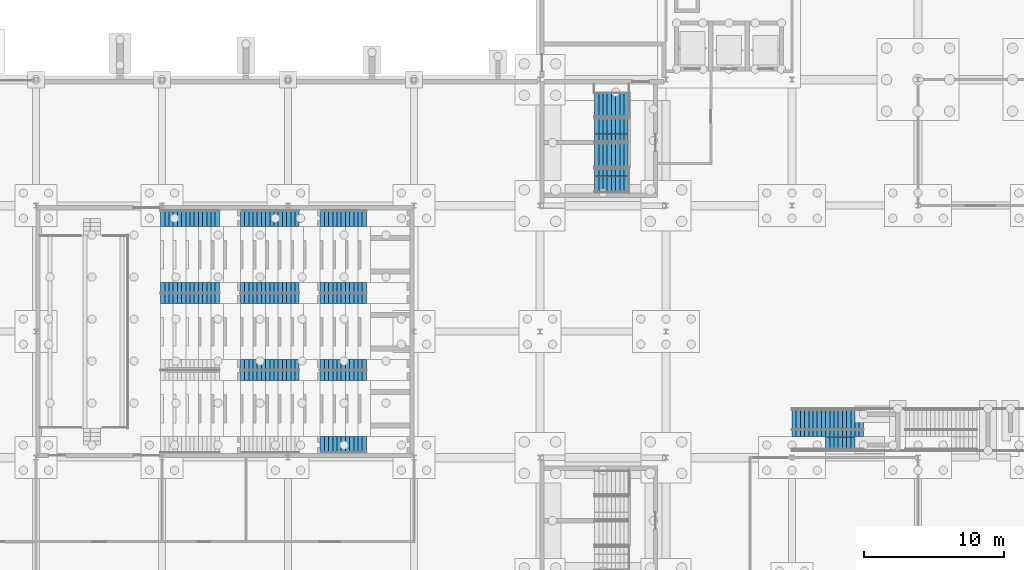
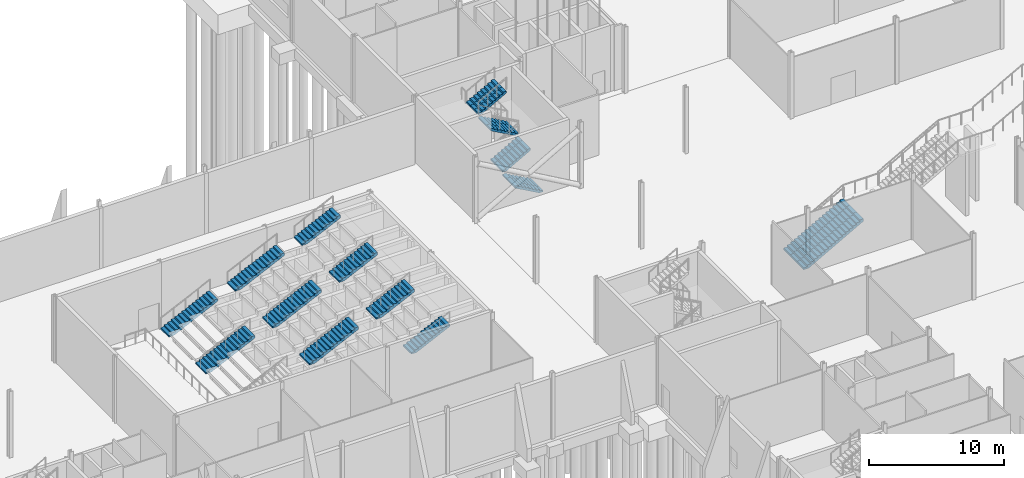
# One storey, part 117 of 139: 14 stair flights, 6 elements without a shape of their own.
"""IFC4 building model written with IfcOpenShell, lengths in metres."""

from ifc_helpers import new_model, si_unit, direction, frame, origin, place, context, subcontext, project, spatial, polyline, outline, extrude, material, type_object, element, aggregate, save


model = new_model("IFC4")

# Units and contexts
model_context = context("Model", 3, precision=1e-05, world=origin(), true_north=direction((0.0, 1.0)))
body_context = subcontext(model_context, "Body", "Model", "MODEL_VIEW")
ifc_project = project(units=[si_unit("LENGTHUNIT", "METRE"), si_unit("AREAUNIT", "SQUARE_METRE"), si_unit("VOLUMEUNIT", "CUBIC_METRE"), si_unit("PLANEANGLEUNIT", "RADIAN"), si_unit("MASSUNIT", "GRAM", prefix="KILO")], contexts=[model_context])

# Site, building, storey
site_placement = place(None, origin())
site = spatial("IfcSite", under=ifc_project, at=site_placement, CompositionType="ELEMENT")
building_placement = place(site_placement, origin())
building = spatial("IfcBuilding", under=site, at=building_placement, Name="Shorebreak Coast Museum", CompositionType="ELEMENT")
storey_placement = place(building_placement, origin())
storey = spatial("IfcBuildingStorey", under=building, at=storey_placement, Name="L00", CompositionType="ELEMENT", Elevation=0.0)

# Stair, stair flight
ifc_material_1 = material(Name="Concrete N40 (40 MPa)", Category="concrete")
stair_type_1 = type_object("IfcStairType", Name="Aisle stair 1200", PredefinedType="STRAIGHT_RUN_STAIR", material=ifc_material_1)
stair_1_placement = place(storey_placement, origin())
stair_1 = element("IfcStair", 1, at=stair_1_placement, inside=storey, type_object=stair_type_1, Name="Aisle stair 1", PredefinedType="STRAIGHT_RUN_STAIR")
ifc_material_2 = material(Name="Concrete N40 (40 MPa)", Category="concrete")
stair_flight_type_1 = type_object("IfcStairFlightType", Name="Aisle flight 1200 12 risers", PredefinedType="STRAIGHT", material=ifc_material_2)
stair_flight_1_placement = place(storey_placement, frame((38.300048828125, 63.89990234375, 4.28564453125), z_axis=(0.0, 0.0, 1.0), x_axis=(1.0, 0.0, 0.0)))
stair_flight_1 = element("IfcStairFlight", 2, at=stair_flight_1_placement, type_object=stair_flight_type_1, Name="STA-1 flight 3", NumberOfRisers=12, NumberOfTreads=11, PredefinedType="STRAIGHT", RiserHeight=0.142857143, TreadLength=0.3, context=body_context, shape_type="SweptSolid", body=[
    extrude(outline(polyline([(0.0, 0.0), (0.0, 0.142822265625), (0.300048828125, 0.142822265625), (0.300048828125, 0.28564453125), (0.60009765625, 0.28564453125), (0.60009765625, 0.428466796875), (0.89990234375, 0.428466796875), (0.89990234375, 0.571533203125), (1.199951171875, 0.571533203125), (1.199951171875, 0.71435546875), (1.5, 0.71435546875), (1.5, 0.857177734375), (1.800048828125, 0.857177734375), (1.800048828125, 1.0), (2.10009765625, 1.0), (2.10009765625, 1.142822265625), (2.39990234375, 1.142822265625), (2.39990234375, 1.28564453125), (2.699951171875, 1.28564453125), (2.699951171875, 1.428466796875), (3.0, 1.428466796875), (3.0, 1.571533203125), (3.300048828125, 1.571533203125), (3.300048828125, 1.71435546875), (3.300048828125, 1.349853515625), (0.465087890625, 0.0), (0.0, 0.0)])), frame((0.0, 0.60009765625, 0.0), z_axis=(0.0, -1.0, 0.0), x_axis=(1.0, 0.0, 0.0)), (0.0, 0.0, 1.0), 1.199951171875),
])
aggregate(stair_1, [stair_flight_1])

# Stair, stair flights
stair_2_placement = place(storey_placement, origin())
stair_2 = element("IfcStair", 3, at=stair_2_placement, inside=storey, type_object=stair_type_1, Name="Aisle stair 4", PredefinedType="STRAIGHT_RUN_STAIR")
stair_flight_2_placement = place(storey_placement, frame((38.300048828125, 80.10009765625, 4.28564453125), z_axis=(0.0, 0.0, 1.0), x_axis=(1.0, 0.0, 0.0)))
stair_flight_2 = element("IfcStairFlight", 4, at=stair_flight_2_placement, type_object=stair_flight_type_1, Name="STA-4 flight 3", NumberOfRisers=12, NumberOfTreads=11, PredefinedType="STRAIGHT", RiserHeight=0.142857143, TreadLength=0.3, context=body_context, shape_type="SweptSolid", body=[
    extrude(outline(polyline([(0.0, 0.0), (0.0, 0.142822265625), (0.300048828125, 0.142822265625), (0.300048828125, 0.28564453125), (0.60009765625, 0.28564453125), (0.60009765625, 0.428466796875), (0.89990234375, 0.428466796875), (0.89990234375, 0.571533203125), (1.199951171875, 0.571533203125), (1.199951171875, 0.71435546875), (1.5, 0.71435546875), (1.5, 0.857177734375), (1.800048828125, 0.857177734375), (1.800048828125, 1.0), (2.10009765625, 1.0), (2.10009765625, 1.142822265625), (2.39990234375, 1.142822265625), (2.39990234375, 1.28564453125), (2.699951171875, 1.28564453125), (2.699951171875, 1.428466796875), (3.0, 1.428466796875), (3.0, 1.571533203125), (3.300048828125, 1.571533203125), (3.300048828125, 1.71435546875), (3.300048828125, 1.349853515625), (0.465087890625, 0.0), (0.0, 0.0)])), frame((0.0, 0.60009765625, 0.0), z_axis=(0.0, -1.0, 0.0), x_axis=(1.0, 0.0, 0.0)), (0.0, 0.0, 1.0), 1.199951171875),
])
ifc_material_3 = material(Name="Concrete N40 (40 MPa)", Category="concrete")
stair_flight_type_2 = type_object("IfcStairFlightType", Name="Aisle flight 1200 15 risers", PredefinedType="STRAIGHT", material=ifc_material_3)
stair_flight_3_placement = place(storey_placement, frame((26.89990234375, 80.10009765625, 0.0), z_axis=(0.0, 0.0, 1.0), x_axis=(1.0, 0.0, 0.0)))
stair_flight_3 = element("IfcStairFlight", 5, at=stair_flight_3_placement, type_object=stair_flight_type_2, Name="STA-4 flight 1", NumberOfRisers=15, NumberOfTreads=14, PredefinedType="STRAIGHT", RiserHeight=0.142857143, TreadLength=0.3, context=body_context, shape_type="SweptSolid", body=[
    extrude(outline(polyline([(0.0, 0.0), (0.0, 0.142822265625), (0.300048828125, 0.142822265625), (0.300048828125, 0.28564453125), (0.60009765625, 0.28564453125), (0.60009765625, 0.428466796875), (0.89990234375, 0.428466796875), (0.89990234375, 0.571533203125), (1.199951171875, 0.571533203125), (1.199951171875, 0.71435546875), (1.5, 0.71435546875), (1.5, 0.857177734375), (1.800048828125, 0.857177734375), (1.800048828125, 1.0), (2.10009765625, 1.0), (2.10009765625, 1.142822265625), (2.39990234375, 1.142822265625), (2.39990234375, 1.28564453125), (2.699951171875, 1.28564453125), (2.699951171875, 1.428466796875), (3.0, 1.428466796875), (3.0, 1.571533203125), (3.300048828125, 1.571533203125), (3.300048828125, 1.71435546875), (3.60009765625, 1.71435546875), (3.60009765625, 1.857177734375), (3.89990234375, 1.857177734375), (3.89990234375, 2.0), (4.199951171875, 2.0), (4.199951171875, 2.142822265625), (4.199951171875, 1.778564453125), (0.465087890625, 0.0), (0.0, 0.0)])), frame((0.0, 0.60009765625, 0.0), z_axis=(0.0, -1.0, 0.0), x_axis=(1.0, 0.0, 0.0)), (0.0, 0.0, 1.0), 1.199951171875),
])
stair_flight_4_placement = place(storey_placement, frame((32.60009765625, 80.10009765625, 2.142822265625), z_axis=(0.0, 0.0, 1.0), x_axis=(1.0, 0.0, 0.0)))
stair_flight_4 = element("IfcStairFlight", 6, at=stair_flight_4_placement, type_object=stair_flight_type_2, Name="STA-4 flight 2", NumberOfRisers=15, NumberOfTreads=14, PredefinedType="STRAIGHT", RiserHeight=0.142857143, TreadLength=0.3, context=body_context, shape_type="SweptSolid", body=[
    extrude(outline(polyline([(0.0, 0.0), (0.0, 0.142822265625), (0.300048828125, 0.142822265625), (0.300048828125, 0.28564453125), (0.60009765625, 0.28564453125), (0.60009765625, 0.428466796875), (0.89990234375, 0.428466796875), (0.89990234375, 0.571533203125), (1.199951171875, 0.571533203125), (1.199951171875, 0.71435546875), (1.5, 0.71435546875), (1.5, 0.857177734375), (1.800048828125, 0.857177734375), (1.800048828125, 1.0), (2.10009765625, 1.0), (2.10009765625, 1.142822265625), (2.39990234375, 1.142822265625), (2.39990234375, 1.28564453125), (2.699951171875, 1.28564453125), (2.699951171875, 1.428466796875), (3.0, 1.428466796875), (3.0, 1.571533203125), (3.300048828125, 1.571533203125), (3.300048828125, 1.71435546875), (3.60009765625, 1.71435546875), (3.60009765625, 1.857177734375), (3.89990234375, 1.857177734375), (3.89990234375, 2.0), (4.199951171875, 2.0), (4.199951171875, 2.142822265625), (4.199951171875, 1.778564453125), (0.465087890625, 0.0), (0.0, 0.0)])), frame((0.0, 0.60009765625, 0.0), z_axis=(0.0, -1.0, 0.0), x_axis=(1.0, 0.0, 0.0)), (0.0, 0.0, 1.0), 1.199951171875),
])
aggregate(stair_2, [stair_flight_3, stair_flight_4, stair_flight_2])

# Stair, stair flight
ifc_material_4 = material(Name="Concrete N40 (40 MPa)", Category="concrete")
stair_type_2 = type_object("IfcStairType", Name="Aisle stair 1500", PredefinedType="STRAIGHT_RUN_STAIR", material=ifc_material_4)
stair_3_placement = place(storey_placement, origin())
stair_3 = element("IfcStair", 7, at=stair_3_placement, inside=storey, type_object=stair_type_2, Name="Aisle stair 2", PredefinedType="STRAIGHT_RUN_STAIR")
ifc_material_5 = material(Name="Concrete N40 (40 MPa)", Category="concrete")
stair_flight_type_3 = type_object("IfcStairFlightType", Name="Aisle flight 1500 12 risers", PredefinedType="STRAIGHT", material=ifc_material_5)
stair_flight_5_placement = place(storey_placement, frame((38.300048828125, 69.25, 4.28564453125), z_axis=(0.0, 0.0, 1.0), x_axis=(1.0, 0.0, 0.0)))
stair_flight_5 = element("IfcStairFlight", 8, at=stair_flight_5_placement, type_object=stair_flight_type_3, Name="STA-2 flight 3", NumberOfRisers=12, NumberOfTreads=11, PredefinedType="STRAIGHT", RiserHeight=0.142857143, TreadLength=0.3, context=body_context, shape_type="SweptSolid", body=[
    extrude(outline(polyline([(0.0, 0.0), (0.0, 0.142822265625), (0.300048828125, 0.142822265625), (0.300048828125, 0.28564453125), (0.60009765625, 0.28564453125), (0.60009765625, 0.428466796875), (0.89990234375, 0.428466796875), (0.89990234375, 0.571533203125), (1.199951171875, 0.571533203125), (1.199951171875, 0.71435546875), (1.5, 0.71435546875), (1.5, 0.857177734375), (1.800048828125, 0.857177734375), (1.800048828125, 1.0), (2.10009765625, 1.0), (2.10009765625, 1.142822265625), (2.39990234375, 1.142822265625), (2.39990234375, 1.28564453125), (2.699951171875, 1.28564453125), (2.699951171875, 1.428466796875), (3.0, 1.428466796875), (3.0, 1.571533203125), (3.300048828125, 1.571533203125), (3.300048828125, 1.71435546875), (3.300048828125, 1.349853515625), (0.465087890625, 0.0), (0.0, 0.0)])), frame((0.0, 0.75, 0.0), z_axis=(0.0, -1.0, 0.0), x_axis=(1.0, 0.0, 0.0)), (0.0, 0.0, 1.0), 1.5),
])

stair_4_placement = place(storey_placement, origin())
stair_4 = element("IfcStair", 9, at=stair_4_placement, inside=storey, type_object=stair_type_2, Name="Aisle stair 3", PredefinedType="STRAIGHT_RUN_STAIR")
stair_flight_6_placement = place(storey_placement, frame((38.300048828125, 74.75, 4.28564453125), z_axis=(0.0, 0.0, 1.0), x_axis=(1.0, 0.0, 0.0)))
stair_flight_6 = element("IfcStairFlight", 10, at=stair_flight_6_placement, type_object=stair_flight_type_3, Name="STA-3 flight 3", NumberOfRisers=12, NumberOfTreads=11, PredefinedType="STRAIGHT", RiserHeight=0.142857143, TreadLength=0.3, context=body_context, shape_type="SweptSolid", body=[
    extrude(outline(polyline([(0.0, 0.0), (0.0, 0.142822265625), (0.300048828125, 0.142822265625), (0.300048828125, 0.28564453125), (0.60009765625, 0.28564453125), (0.60009765625, 0.428466796875), (0.89990234375, 0.428466796875), (0.89990234375, 0.571533203125), (1.199951171875, 0.571533203125), (1.199951171875, 0.71435546875), (1.5, 0.71435546875), (1.5, 0.857177734375), (1.800048828125, 0.857177734375), (1.800048828125, 1.0), (2.10009765625, 1.0), (2.10009765625, 1.142822265625), (2.39990234375, 1.142822265625), (2.39990234375, 1.28564453125), (2.699951171875, 1.28564453125), (2.699951171875, 1.428466796875), (3.0, 1.428466796875), (3.0, 1.571533203125), (3.300048828125, 1.571533203125), (3.300048828125, 1.71435546875), (3.300048828125, 1.349853515625), (0.465087890625, 0.0), (0.0, 0.0)])), frame((0.0, 0.75, 0.0), z_axis=(0.0, -1.0, 0.0), x_axis=(1.0, 0.0, 0.0)), (0.0, 0.0, 1.0), 1.5),
])

# Stair flight
ifc_material_6 = material(Name="Concrete N40 (40 MPa)", Category="concrete")
stair_flight_type_4 = type_object("IfcStairFlightType", Name="Aisle flight 1500 15 risers", PredefinedType="STRAIGHT", material=ifc_material_6)
stair_flight_7_placement = place(storey_placement, frame((32.60009765625, 69.25, 2.142822265625), z_axis=(0.0, 0.0, 1.0), x_axis=(1.0, 0.0, 0.0)))
stair_flight_7 = element("IfcStairFlight", 11, at=stair_flight_7_placement, type_object=stair_flight_type_4, Name="STA-2 flight 2", NumberOfRisers=15, NumberOfTreads=14, PredefinedType="STRAIGHT", RiserHeight=0.142857143, TreadLength=0.3, context=body_context, shape_type="SweptSolid", body=[
    extrude(outline(polyline([(0.0, 0.0), (0.0, 0.142822265625), (0.300048828125, 0.142822265625), (0.300048828125, 0.28564453125), (0.60009765625, 0.28564453125), (0.60009765625, 0.428466796875), (0.89990234375, 0.428466796875), (0.89990234375, 0.571533203125), (1.199951171875, 0.571533203125), (1.199951171875, 0.71435546875), (1.5, 0.71435546875), (1.5, 0.857177734375), (1.800048828125, 0.857177734375), (1.800048828125, 1.0), (2.10009765625, 1.0), (2.10009765625, 1.142822265625), (2.39990234375, 1.142822265625), (2.39990234375, 1.28564453125), (2.699951171875, 1.28564453125), (2.699951171875, 1.428466796875), (3.0, 1.428466796875), (3.0, 1.571533203125), (3.300048828125, 1.571533203125), (3.300048828125, 1.71435546875), (3.60009765625, 1.71435546875), (3.60009765625, 1.857177734375), (3.89990234375, 1.857177734375), (3.89990234375, 2.0), (4.199951171875, 2.0), (4.199951171875, 2.142822265625), (4.199951171875, 1.778564453125), (0.465087890625, 0.0), (0.0, 0.0)])), frame((0.0, 0.75, 0.0), z_axis=(0.0, -1.0, 0.0), x_axis=(1.0, 0.0, 0.0)), (0.0, 0.0, 1.0), 1.5),
])

aggregate(stair_3, [stair_flight_7, stair_flight_5])

stair_flight_8_placement = place(storey_placement, frame((26.89990234375, 74.75, 0.0), z_axis=(0.0, 0.0, 1.0), x_axis=(1.0, 0.0, 0.0)))
stair_flight_8 = element("IfcStairFlight", 12, at=stair_flight_8_placement, type_object=stair_flight_type_4, Name="STA-3 flight 1", NumberOfRisers=15, NumberOfTreads=14, PredefinedType="STRAIGHT", RiserHeight=0.142857143, TreadLength=0.3, context=body_context, shape_type="SweptSolid", body=[
    extrude(outline(polyline([(0.0, 0.0), (0.0, 0.142822265625), (0.300048828125, 0.142822265625), (0.300048828125, 0.28564453125), (0.60009765625, 0.28564453125), (0.60009765625, 0.428466796875), (0.89990234375, 0.428466796875), (0.89990234375, 0.571533203125), (1.199951171875, 0.571533203125), (1.199951171875, 0.71435546875), (1.5, 0.71435546875), (1.5, 0.857177734375), (1.800048828125, 0.857177734375), (1.800048828125, 1.0), (2.10009765625, 1.0), (2.10009765625, 1.142822265625), (2.39990234375, 1.142822265625), (2.39990234375, 1.28564453125), (2.699951171875, 1.28564453125), (2.699951171875, 1.428466796875), (3.0, 1.428466796875), (3.0, 1.571533203125), (3.300048828125, 1.571533203125), (3.300048828125, 1.71435546875), (3.60009765625, 1.71435546875), (3.60009765625, 1.857177734375), (3.89990234375, 1.857177734375), (3.89990234375, 2.0), (4.199951171875, 2.0), (4.199951171875, 2.142822265625), (4.199951171875, 1.778564453125), (0.465087890625, 0.0), (0.0, 0.0)])), frame((0.0, 0.75, 0.0), z_axis=(0.0, -1.0, 0.0), x_axis=(1.0, 0.0, 0.0)), (0.0, 0.0, 1.0), 1.5),
])

stair_flight_9_placement = place(storey_placement, frame((32.60009765625, 74.75, 2.142822265625), z_axis=(0.0, 0.0, 1.0), x_axis=(1.0, 0.0, 0.0)))
stair_flight_9 = element("IfcStairFlight", 13, at=stair_flight_9_placement, type_object=stair_flight_type_4, Name="STA-3 flight 2", NumberOfRisers=15, NumberOfTreads=14, PredefinedType="STRAIGHT", RiserHeight=0.142857143, TreadLength=0.3, context=body_context, shape_type="SweptSolid", body=[
    extrude(outline(polyline([(0.0, 0.0), (0.0, 0.142822265625), (0.300048828125, 0.142822265625), (0.300048828125, 0.28564453125), (0.60009765625, 0.28564453125), (0.60009765625, 0.428466796875), (0.89990234375, 0.428466796875), (0.89990234375, 0.571533203125), (1.199951171875, 0.571533203125), (1.199951171875, 0.71435546875), (1.5, 0.71435546875), (1.5, 0.857177734375), (1.800048828125, 0.857177734375), (1.800048828125, 1.0), (2.10009765625, 1.0), (2.10009765625, 1.142822265625), (2.39990234375, 1.142822265625), (2.39990234375, 1.28564453125), (2.699951171875, 1.28564453125), (2.699951171875, 1.428466796875), (3.0, 1.428466796875), (3.0, 1.571533203125), (3.300048828125, 1.571533203125), (3.300048828125, 1.71435546875), (3.60009765625, 1.71435546875), (3.60009765625, 1.857177734375), (3.89990234375, 1.857177734375), (3.89990234375, 2.0), (4.199951171875, 2.0), (4.199951171875, 2.142822265625), (4.199951171875, 1.778564453125), (0.465087890625, 0.0), (0.0, 0.0)])), frame((0.0, 0.75, 0.0), z_axis=(0.0, -1.0, 0.0), x_axis=(1.0, 0.0, 0.0)), (0.0, 0.0, 1.0), 1.5),
])

aggregate(stair_4, [stair_flight_8, stair_flight_9, stair_flight_6])

# Stair, stair flight
ifc_material_7 = material(Name="Concrete N40 (40 MPa)", Category="concrete")
stair_type_3 = type_object("IfcStairType", Name="Feature stair run 6 m", PredefinedType="TWO_STRAIGHT_RUN_STAIR", material=ifc_material_7)
stair_5_placement = place(storey_placement, origin())
stair_5 = element("IfcStair", 14, at=stair_5_placement, inside=storey, type_object=stair_type_3, Name="Feature stair FS-L00", PredefinedType="TWO_STRAIGHT_RUN_STAIR")
ifc_material_8 = material(Name="Concrete N40 (40 MPa)", Category="concrete")
stair_flight_type_5 = type_object("IfcStairFlightType", Name="Feature stair flight 18 risers", PredefinedType="STRAIGHT", material=ifc_material_8)
stair_flight_10_placement = place(storey_placement, frame((72.0, 65.0, 0.0), z_axis=(0.0, 0.0, 1.0), x_axis=(1.0, 0.0, 0.0)))
stair_flight_10 = element("IfcStairFlight", 15, at=stair_flight_10_placement, type_object=stair_flight_type_5, Name="FS-L00 flight 1", NumberOfRisers=18, NumberOfTreads=17, PredefinedType="STRAIGHT", RiserHeight=0.166666667, TreadLength=0.3, context=body_context, shape_type="SweptSolid", body=[
    extrude(outline(polyline([(0.0, 0.0), (0.0, 0.166748046875), (0.300048828125, 0.166748046875), (0.300048828125, 0.333251953125), (0.60009765625, 0.333251953125), (0.60009765625, 0.5), (0.89990234375, 0.5), (0.89990234375, 0.666748046875), (1.199951171875, 0.666748046875), (1.199951171875, 0.833251953125), (1.5, 0.833251953125), (1.5, 1.0), (1.800048828125, 1.0), (1.800048828125, 1.166748046875), (2.10009765625, 1.166748046875), (2.10009765625, 1.333251953125), (2.39990234375, 1.333251953125), (2.39990234375, 1.5), (2.699951171875, 1.5), (2.699951171875, 1.666748046875), (3.0, 1.666748046875), (3.0, 1.833251953125), (3.300048828125, 1.833251953125), (3.300048828125, 2.0), (3.60009765625, 2.0), (3.60009765625, 2.166748046875), (3.89990234375, 2.166748046875), (3.89990234375, 2.333251953125), (4.199951171875, 2.333251953125), (4.199951171875, 2.5), (4.5, 2.5), (4.5, 2.666748046875), (4.800048828125, 2.666748046875), (4.800048828125, 2.833251953125), (5.10009765625, 2.833251953125), (5.10009765625, 3.0), (5.10009765625, 2.6044921875), (0.41162109375, 0.0), (0.0, 0.0)])), frame((0.0, 1.5, 0.0), z_axis=(0.0, -1.0, 0.0), x_axis=(1.0, 0.0, 0.0)), (0.0, 0.0, 1.0), 0.993408203125),
    extrude(outline(polyline([(0.0, 0.0), (0.0, 0.166748046875), (0.300048828125, 0.166748046875), (0.300048828125, 0.333251953125), (0.60009765625, 0.333251953125), (0.60009765625, 0.5), (0.89990234375, 0.5), (0.89990234375, 0.666748046875), (1.199951171875, 0.666748046875), (1.199951171875, 0.833251953125), (1.5, 0.833251953125), (1.5, 1.0), (1.800048828125, 1.0), (1.800048828125, 1.166748046875), (2.10009765625, 1.166748046875), (2.10009765625, 1.333251953125), (2.39990234375, 1.333251953125), (2.39990234375, 1.5), (2.699951171875, 1.5), (2.699951171875, 1.666748046875), (3.0, 1.666748046875), (3.0, 1.833251953125), (3.300048828125, 1.833251953125), (3.300048828125, 2.0), (3.60009765625, 2.0), (3.60009765625, 2.166748046875), (3.89990234375, 2.166748046875), (3.89990234375, 2.333251953125), (4.199951171875, 2.333251953125), (4.199951171875, 2.5), (4.5, 2.5), (4.5, 2.666748046875), (4.800048828125, 2.666748046875), (4.800048828125, 2.833251953125), (5.10009765625, 2.833251953125), (5.10009765625, 3.0), (5.10009765625, 2.6044921875), (0.41162109375, 0.0), (0.0, 0.0)])), frame((0.0, 0.49658203125, 0.0), z_axis=(0.0, -1.0, 0.0), x_axis=(1.0, 0.0, 0.0)), (0.0, 0.0, 1.0), 0.993408203125),
    extrude(outline(polyline([(0.0, 0.0), (0.0, 0.166748046875), (0.300048828125, 0.166748046875), (0.300048828125, 0.333251953125), (0.60009765625, 0.333251953125), (0.60009765625, 0.5), (0.89990234375, 0.5), (0.89990234375, 0.666748046875), (1.199951171875, 0.666748046875), (1.199951171875, 0.833251953125), (1.5, 0.833251953125), (1.5, 1.0), (1.800048828125, 1.0), (1.800048828125, 1.166748046875), (2.10009765625, 1.166748046875), (2.10009765625, 1.333251953125), (2.39990234375, 1.333251953125), (2.39990234375, 1.5), (2.699951171875, 1.5), (2.699951171875, 1.666748046875), (3.0, 1.666748046875), (3.0, 1.833251953125), (3.300048828125, 1.833251953125), (3.300048828125, 2.0), (3.60009765625, 2.0), (3.60009765625, 2.166748046875), (3.89990234375, 2.166748046875), (3.89990234375, 2.333251953125), (4.199951171875, 2.333251953125), (4.199951171875, 2.5), (4.5, 2.5), (4.5, 2.666748046875), (4.800048828125, 2.666748046875), (4.800048828125, 2.833251953125), (5.10009765625, 2.833251953125), (5.10009765625, 3.0), (5.10009765625, 2.6044921875), (0.41162109375, 0.0), (0.0, 0.0)])), frame((0.0, -0.506591796875, 0.0), z_axis=(0.0, -1.0, 0.0), x_axis=(1.0, 0.0, 0.0)), (0.0, 0.0, 1.0), 0.993408203125),
])
aggregate(stair_5, [stair_flight_10])

# Stair, stair flights
ifc_material_9 = material(Name="Concrete N40 (40 MPa)", Category="concrete")
stair_type_4 = type_object("IfcStairType", Name="Stair run 6 m", PredefinedType="DOUBLE_RETURN_STAIR", material=ifc_material_9)
stair_6_placement = place(storey_placement, origin())
stair_6 = element("IfcStair", 16, at=stair_6_placement, inside=storey, type_object=stair_type_4, Name="Exit stair ST03-L00", PredefinedType="DOUBLE_RETURN_STAIR")
ifc_material_10 = material(Name="Concrete N40 (40 MPa)", Category="concrete")
stair_flight_type_6 = type_object("IfcStairFlightType", Name="Stair flight 9 risers 166.67", PredefinedType="STRAIGHT", material=ifc_material_10)
stair_flight_11_placement = place(storey_placement, frame((60.300048828125, 82.800048828125, 0.0), z_axis=(0.0, 0.0, 1.0), x_axis=(-1.0, 0.0, 0.0)))
stair_flight_11 = element("IfcStairFlight", 17, at=stair_flight_11_placement, type_object=stair_flight_type_6, Name="ST03-L00 flight 1", NumberOfRisers=9, NumberOfTreads=8, PredefinedType="STRAIGHT", RiserHeight=0.166666667, TreadLength=0.3, context=body_context, shape_type="SweptSolid", body=[
    extrude(outline(polyline([(0.0, 0.0), (0.0, 0.166748046875), (0.300048828125, 0.166748046875), (0.300048828125, 0.333251953125), (0.60009765625, 0.333251953125), (0.60009765625, 0.5), (0.89990234375, 0.5), (0.89990234375, 0.666748046875), (1.199951171875, 0.666748046875), (1.199951171875, 0.833251953125), (1.5, 0.833251953125), (1.5, 1.0), (1.800048828125, 1.0), (1.800048828125, 1.166748046875), (2.10009765625, 1.166748046875), (2.10009765625, 1.333251953125), (2.39990234375, 1.333251953125), (2.39990234375, 1.5), (2.39990234375, 1.161865234375), (0.30859375, 0.0), (0.0, 0.0)])), frame((0.0, 0.89990234375, 0.0), z_axis=(0.0, -1.0, 0.0), x_axis=(1.0, 0.0, 0.0)), (0.0, 0.0, 1.0), 0.59326171875),
    extrude(outline(polyline([(0.0, 0.0), (0.0, 0.166748046875), (0.300048828125, 0.166748046875), (0.300048828125, 0.333251953125), (0.60009765625, 0.333251953125), (0.60009765625, 0.5), (0.89990234375, 0.5), (0.89990234375, 0.666748046875), (1.199951171875, 0.666748046875), (1.199951171875, 0.833251953125), (1.5, 0.833251953125), (1.5, 1.0), (1.800048828125, 1.0), (1.800048828125, 1.166748046875), (2.10009765625, 1.166748046875), (2.10009765625, 1.333251953125), (2.39990234375, 1.333251953125), (2.39990234375, 1.5), (2.39990234375, 1.161865234375), (0.30859375, 0.0), (0.0, 0.0)])), frame((0.0, 0.296630859375, 0.0), z_axis=(0.0, -1.0, 0.0), x_axis=(1.0, 0.0, 0.0)), (0.0, 0.0, 1.0), 0.59326171875),
    extrude(outline(polyline([(0.0, 0.0), (0.0, 0.166748046875), (0.300048828125, 0.166748046875), (0.300048828125, 0.333251953125), (0.60009765625, 0.333251953125), (0.60009765625, 0.5), (0.89990234375, 0.5), (0.89990234375, 0.666748046875), (1.199951171875, 0.666748046875), (1.199951171875, 0.833251953125), (1.5, 0.833251953125), (1.5, 1.0), (1.800048828125, 1.0), (1.800048828125, 1.166748046875), (2.10009765625, 1.166748046875), (2.10009765625, 1.333251953125), (2.39990234375, 1.333251953125), (2.39990234375, 1.5), (2.39990234375, 1.161865234375), (0.30859375, 0.0), (0.0, 0.0)])), frame((0.0, -0.306640625, 0.0), z_axis=(0.0, -1.0, 0.0), x_axis=(1.0, 0.0, 0.0)), (0.0, 0.0, 1.0), 0.59326171875),
])
stair_flight_12_placement = place(storey_placement, frame((57.89990234375, 84.60009765625, 1.5), z_axis=(0.0, 0.0, 1.0), x_axis=(1.0, 0.0, 0.0)))
stair_flight_12 = element("IfcStairFlight", 18, at=stair_flight_12_placement, type_object=stair_flight_type_6, Name="ST03-L00 flight 2", NumberOfRisers=9, NumberOfTreads=8, PredefinedType="STRAIGHT", RiserHeight=0.166666667, TreadLength=0.3, context=body_context, shape_type="SweptSolid", body=[
    extrude(outline(polyline([(0.0, 0.0), (0.0, 0.166748046875), (0.300048828125, 0.166748046875), (0.300048828125, 0.333251953125), (0.60009765625, 0.333251953125), (0.60009765625, 0.5), (0.89990234375, 0.5), (0.89990234375, 0.666748046875), (1.199951171875, 0.666748046875), (1.199951171875, 0.833251953125), (1.5, 0.833251953125), (1.5, 1.0), (1.800048828125, 1.0), (1.800048828125, 1.166748046875), (2.10009765625, 1.166748046875), (2.10009765625, 1.333251953125), (2.39990234375, 1.333251953125), (2.39990234375, 1.5), (2.39990234375, 1.161865234375), (0.30859375, 0.0), (0.0, 0.0)])), frame((0.0, 0.89990234375, 0.0), z_axis=(0.0, -1.0, 0.0), x_axis=(1.0, 0.0, 0.0)), (0.0, 0.0, 1.0), 0.59326171875),
    extrude(outline(polyline([(0.0, 0.0), (0.0, 0.166748046875), (0.300048828125, 0.166748046875), (0.300048828125, 0.333251953125), (0.60009765625, 0.333251953125), (0.60009765625, 0.5), (0.89990234375, 0.5), (0.89990234375, 0.666748046875), (1.199951171875, 0.666748046875), (1.199951171875, 0.833251953125), (1.5, 0.833251953125), (1.5, 1.0), (1.800048828125, 1.0), (1.800048828125, 1.166748046875), (2.10009765625, 1.166748046875), (2.10009765625, 1.333251953125), (2.39990234375, 1.333251953125), (2.39990234375, 1.5), (2.39990234375, 1.161865234375), (0.30859375, 0.0), (0.0, 0.0)])), frame((0.0, 0.296630859375, 0.0), z_axis=(0.0, -1.0, 0.0), x_axis=(1.0, 0.0, 0.0)), (0.0, 0.0, 1.0), 0.59326171875),
    extrude(outline(polyline([(0.0, 0.0), (0.0, 0.166748046875), (0.300048828125, 0.166748046875), (0.300048828125, 0.333251953125), (0.60009765625, 0.333251953125), (0.60009765625, 0.5), (0.89990234375, 0.5), (0.89990234375, 0.666748046875), (1.199951171875, 0.666748046875), (1.199951171875, 0.833251953125), (1.5, 0.833251953125), (1.5, 1.0), (1.800048828125, 1.0), (1.800048828125, 1.166748046875), (2.10009765625, 1.166748046875), (2.10009765625, 1.333251953125), (2.39990234375, 1.333251953125), (2.39990234375, 1.5), (2.39990234375, 1.161865234375), (0.30859375, 0.0), (0.0, 0.0)])), frame((0.0, -0.306640625, 0.0), z_axis=(0.0, -1.0, 0.0), x_axis=(1.0, 0.0, 0.0)), (0.0, 0.0, 1.0), 0.59326171875),
])
stair_flight_13_placement = place(storey_placement, frame((60.300048828125, 86.39990234375, 3.0), z_axis=(0.0, 0.0, 1.0), x_axis=(-1.0, 0.0, 0.0)))
stair_flight_13 = element("IfcStairFlight", 19, at=stair_flight_13_placement, type_object=stair_flight_type_6, Name="ST03-L00 flight 3", NumberOfRisers=9, NumberOfTreads=8, PredefinedType="STRAIGHT", RiserHeight=0.166666667, TreadLength=0.3, context=body_context, shape_type="SweptSolid", body=[
    extrude(outline(polyline([(0.0, 0.0), (0.0, 0.166748046875), (0.300048828125, 0.166748046875), (0.300048828125, 0.333251953125), (0.60009765625, 0.333251953125), (0.60009765625, 0.5), (0.89990234375, 0.5), (0.89990234375, 0.666748046875), (1.199951171875, 0.666748046875), (1.199951171875, 0.833251953125), (1.5, 0.833251953125), (1.5, 1.0), (1.800048828125, 1.0), (1.800048828125, 1.166748046875), (2.10009765625, 1.166748046875), (2.10009765625, 1.333251953125), (2.39990234375, 1.333251953125), (2.39990234375, 1.5), (2.39990234375, 1.161865234375), (0.30859375, 0.0), (0.0, 0.0)])), frame((0.0, 0.89990234375, 0.0), z_axis=(0.0, -1.0, 0.0), x_axis=(1.0, 0.0, 0.0)), (0.0, 0.0, 1.0), 0.59326171875),
    extrude(outline(polyline([(0.0, 0.0), (0.0, 0.166748046875), (0.300048828125, 0.166748046875), (0.300048828125, 0.333251953125), (0.60009765625, 0.333251953125), (0.60009765625, 0.5), (0.89990234375, 0.5), (0.89990234375, 0.666748046875), (1.199951171875, 0.666748046875), (1.199951171875, 0.833251953125), (1.5, 0.833251953125), (1.5, 1.0), (1.800048828125, 1.0), (1.800048828125, 1.166748046875), (2.10009765625, 1.166748046875), (2.10009765625, 1.333251953125), (2.39990234375, 1.333251953125), (2.39990234375, 1.5), (2.39990234375, 1.161865234375), (0.30859375, 0.0), (0.0, 0.0)])), frame((0.0, 0.296630859375, 0.0), z_axis=(0.0, -1.0, 0.0), x_axis=(1.0, 0.0, 0.0)), (0.0, 0.0, 1.0), 0.59326171875),
    extrude(outline(polyline([(0.0, 0.0), (0.0, 0.166748046875), (0.300048828125, 0.166748046875), (0.300048828125, 0.333251953125), (0.60009765625, 0.333251953125), (0.60009765625, 0.5), (0.89990234375, 0.5), (0.89990234375, 0.666748046875), (1.199951171875, 0.666748046875), (1.199951171875, 0.833251953125), (1.5, 0.833251953125), (1.5, 1.0), (1.800048828125, 1.0), (1.800048828125, 1.166748046875), (2.10009765625, 1.166748046875), (2.10009765625, 1.333251953125), (2.39990234375, 1.333251953125), (2.39990234375, 1.5), (2.39990234375, 1.161865234375), (0.30859375, 0.0), (0.0, 0.0)])), frame((0.0, -0.306640625, 0.0), z_axis=(0.0, -1.0, 0.0), x_axis=(1.0, 0.0, 0.0)), (0.0, 0.0, 1.0), 0.59326171875),
])
stair_flight_14_placement = place(storey_placement, frame((57.89990234375, 88.199951171875, 4.5), z_axis=(0.0, 0.0, 1.0), x_axis=(1.0, 0.0, 0.0)))
stair_flight_14 = element("IfcStairFlight", 20, at=stair_flight_14_placement, type_object=stair_flight_type_6, Name="ST03-L00 flight 4", NumberOfRisers=9, NumberOfTreads=8, PredefinedType="STRAIGHT", RiserHeight=0.166666667, TreadLength=0.3, context=body_context, shape_type="SweptSolid", body=[
    extrude(outline(polyline([(0.0, 0.0), (0.0, 0.166748046875), (0.300048828125, 0.166748046875), (0.300048828125, 0.333251953125), (0.60009765625, 0.333251953125), (0.60009765625, 0.5), (0.89990234375, 0.5), (0.89990234375, 0.666748046875), (1.199951171875, 0.666748046875), (1.199951171875, 0.833251953125), (1.5, 0.833251953125), (1.5, 1.0), (1.800048828125, 1.0), (1.800048828125, 1.166748046875), (2.10009765625, 1.166748046875), (2.10009765625, 1.333251953125), (2.39990234375, 1.333251953125), (2.39990234375, 1.5), (2.39990234375, 1.161865234375), (0.30859375, 0.0), (0.0, 0.0)])), frame((0.0, 0.89990234375, 0.0), z_axis=(0.0, -1.0, 0.0), x_axis=(1.0, 0.0, 0.0)), (0.0, 0.0, 1.0), 0.59326171875),
    extrude(outline(polyline([(0.0, 0.0), (0.0, 0.166748046875), (0.300048828125, 0.166748046875), (0.300048828125, 0.333251953125), (0.60009765625, 0.333251953125), (0.60009765625, 0.5), (0.89990234375, 0.5), (0.89990234375, 0.666748046875), (1.199951171875, 0.666748046875), (1.199951171875, 0.833251953125), (1.5, 0.833251953125), (1.5, 1.0), (1.800048828125, 1.0), (1.800048828125, 1.166748046875), (2.10009765625, 1.166748046875), (2.10009765625, 1.333251953125), (2.39990234375, 1.333251953125), (2.39990234375, 1.5), (2.39990234375, 1.161865234375), (0.30859375, 0.0), (0.0, 0.0)])), frame((0.0, 0.296630859375, 0.0), z_axis=(0.0, -1.0, 0.0), x_axis=(1.0, 0.0, 0.0)), (0.0, 0.0, 1.0), 0.59326171875),
    extrude(outline(polyline([(0.0, 0.0), (0.0, 0.166748046875), (0.300048828125, 0.166748046875), (0.300048828125, 0.333251953125), (0.60009765625, 0.333251953125), (0.60009765625, 0.5), (0.89990234375, 0.5), (0.89990234375, 0.666748046875), (1.199951171875, 0.666748046875), (1.199951171875, 0.833251953125), (1.5, 0.833251953125), (1.5, 1.0), (1.800048828125, 1.0), (1.800048828125, 1.166748046875), (2.10009765625, 1.166748046875), (2.10009765625, 1.333251953125), (2.39990234375, 1.333251953125), (2.39990234375, 1.5), (2.39990234375, 1.161865234375), (0.30859375, 0.0), (0.0, 0.0)])), frame((0.0, -0.306640625, 0.0), z_axis=(0.0, -1.0, 0.0), x_axis=(1.0, 0.0, 0.0)), (0.0, 0.0, 1.0), 0.59326171875),
])
aggregate(stair_6, [stair_flight_11, stair_flight_12, stair_flight_13, stair_flight_14])

save(model, "model.ifc")
